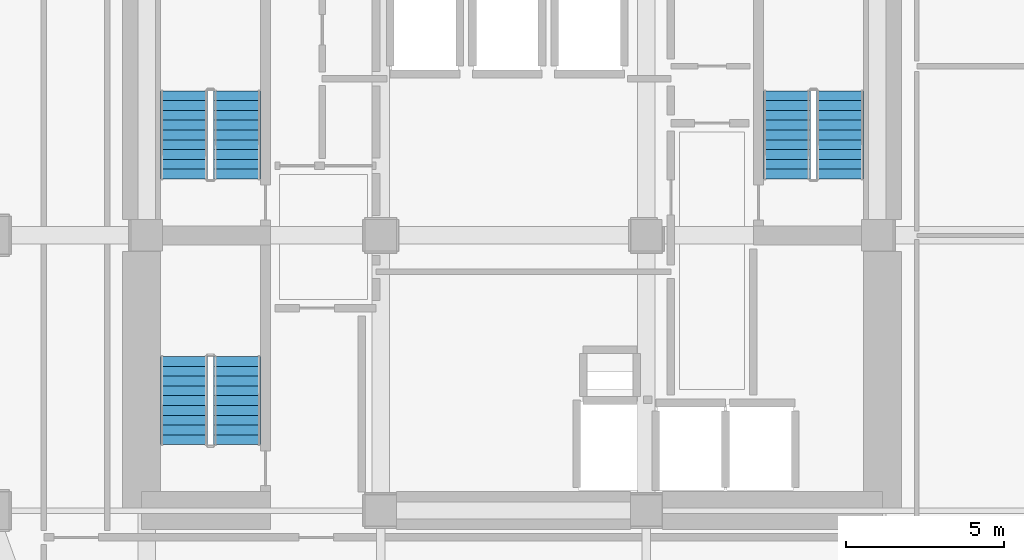
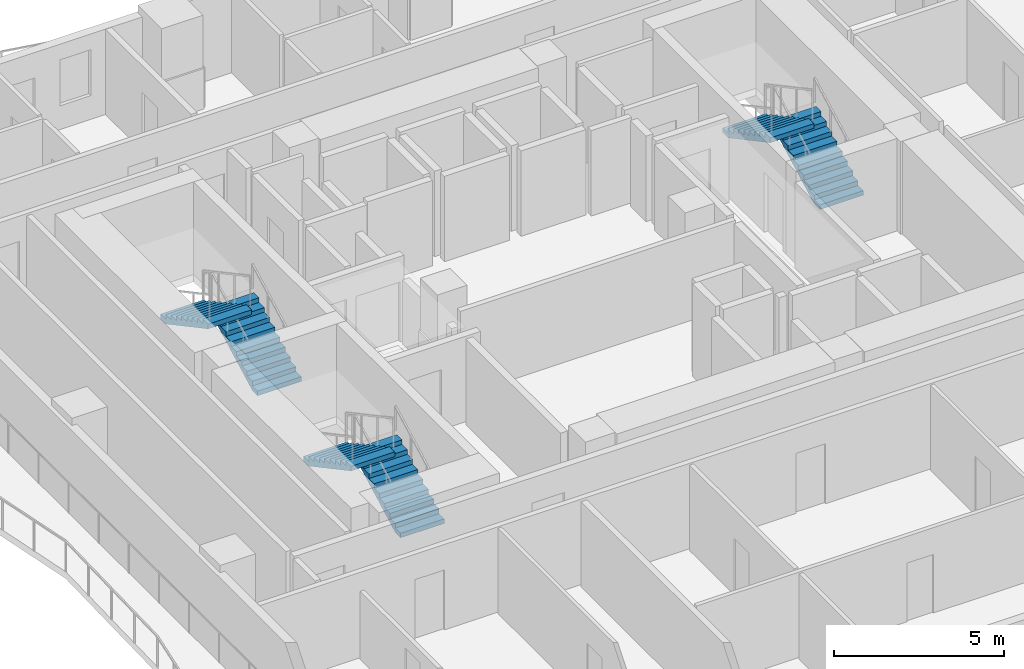
# One storey, part 7 of 10: 6 stair flights, 3 elements without a shape of their own.
"""IFC4 building model written with IfcOpenShell, lengths in metres."""

from ifc_helpers import new_model, si_unit, direction, frame, origin, place, context, subcontext, project, spatial, polyline, outline, extrude, material, type_object, element, aggregate, save


model = new_model("IFC4")

# Units and contexts
model_context = context("Model", 3, precision=1e-05, world=origin(), true_north=direction((0.0, 1.0)))
body_context = subcontext(model_context, "Body", "Model", "MODEL_VIEW")
ifc_project = project(units=[si_unit("LENGTHUNIT", "METRE"), si_unit("AREAUNIT", "SQUARE_METRE"), si_unit("VOLUMEUNIT", "CUBIC_METRE"), si_unit("PLANEANGLEUNIT", "RADIAN"), si_unit("MASSUNIT", "GRAM", prefix="KILO")], contexts=[model_context])

# Site, building, storey
site_placement = place(None, origin())
site = spatial("IfcSite", under=ifc_project, at=site_placement, CompositionType="ELEMENT")
building_placement = place(site_placement, origin())
building = spatial("IfcBuilding", under=site, at=building_placement, Name="Solanera Arch Residences", CompositionType="ELEMENT")
storey_placement = place(building_placement, frame((0.0, 0.0, 51.8798828125)))
storey = spatial("IfcBuildingStorey", under=building, at=storey_placement, Name="L14", CompositionType="ELEMENT", Elevation=51.8798828125)

# Stair, stair flights
ifc_material_1 = material(Name="Concrete C40/50 (f'c = 45 MPa)", Category="concrete")
stair_type = type_object("IfcStairType", Name="Tower Dogleg Exit Stair 1480", PredefinedType="HALF_TURN_STAIR", material=ifc_material_1)
stair_1_placement = place(storey_placement, origin())
stair_1 = element("IfcStair", 1, at=stair_1_placement, inside=storey, type_object=stair_type, Name="L14 Tower Core Exit Stair 1", PredefinedType="HALF_TURN_STAIR")
ifc_material_2 = material(Name="Concrete C40/50 (f'c = 45 MPa)", Category="concrete")
stair_flight_type = type_object("IfcStairFlightType", Name="Tower Precast Stair Flight 1480", PredefinedType="STRAIGHT", material=ifc_material_2)
stair_flight_1_placement = place(storey_placement, frame((16.260009765625, 32.47998046875, 0.0), z_axis=(0.0, 0.0, 1.0), x_axis=(0.0, 1.0, 0.0)))
stair_flight_1 = element("IfcStairFlight", 2, at=stair_flight_1_placement, type_object=stair_flight_type, Name="ST-T1 flight 1", NumberOfRisers=10, NumberOfTreads=9, PredefinedType="STRAIGHT", RiserHeight=0.166, TreadLength=0.31, context=body_context, shape_type="SweptSolid", body=[
    extrude(outline(polyline([(0.0, 0.0), (0.0, 0.166015625), (0.31005859375, 0.166015625), (0.31005859375, 0.33203125), (0.6201171875, 0.33203125), (0.6201171875, 0.498046875), (0.929931640625, 0.498046875), (0.929931640625, 0.6640625), (1.239990234375, 0.6640625), (1.239990234375, 0.830078125), (1.550048828125, 0.830078125), (1.550048828125, 0.99609375), (1.860107421875, 0.99609375), (1.860107421875, 1.162109375), (2.169921875, 1.162109375), (2.169921875, 1.327880859375), (2.47998046875, 1.327880859375), (2.47998046875, 1.493896484375), (2.7900390625, 1.493896484375), (2.7900390625, 1.659912109375), (2.7900390625, 1.323974609375), (0.317626953125, 0.0), (0.0, 0.0)])), frame((0.0, 0.739990234375, 0.0), z_axis=(0.0, -1.0, 0.0), x_axis=(1.0, 0.0, 0.0)), (0.0, 0.0, 1.0), 1.47998046875),
])
stair_flight_2_placement = place(storey_placement, frame((14.580078125, 35.27001953125, 1.66015625), z_axis=(0.0, 0.0, 1.0), x_axis=(0.0, -1.0, 0.0)))
stair_flight_2 = element("IfcStairFlight", 3, at=stair_flight_2_placement, type_object=stair_flight_type, Name="ST-T1 flight 2", NumberOfRisers=10, NumberOfTreads=9, PredefinedType="STRAIGHT", RiserHeight=0.166, TreadLength=0.31, context=body_context, shape_type="SweptSolid", body=[
    extrude(outline(polyline([(0.0, 0.0), (0.0, 0.166015625), (0.31005859375, 0.166015625), (0.31005859375, 0.33203125), (0.6201171875, 0.33203125), (0.6201171875, 0.498046875), (0.929931640625, 0.498046875), (0.929931640625, 0.6640625), (1.239990234375, 0.6640625), (1.239990234375, 0.830078125), (1.550048828125, 0.830078125), (1.550048828125, 0.99609375), (1.860107421875, 0.99609375), (1.860107421875, 1.162109375), (2.169921875, 1.162109375), (2.169921875, 1.327880859375), (2.47998046875, 1.327880859375), (2.47998046875, 1.493896484375), (2.7900390625, 1.493896484375), (2.7900390625, 1.659912109375), (2.7900390625, 1.323974609375), (0.317626953125, 0.0), (0.0, 0.0)])), frame((0.0, 0.739990234375, 0.0), z_axis=(0.0, -1.0, 0.0), x_axis=(1.0, 0.0, 0.0)), (0.0, 0.0, 1.0), 1.47998046875),
])
aggregate(stair_1, [stair_flight_1, stair_flight_2])

stair_2_placement = place(storey_placement, origin())
stair_2 = element("IfcStair", 4, at=stair_2_placement, inside=storey, type_object=stair_type, Name="L14 Tower Core Exit Stair 2", PredefinedType="HALF_TURN_STAIR")
stair_flight_3_placement = place(storey_placement, frame((35.320068359375, 32.47998046875, 0.0), z_axis=(0.0, 0.0, 1.0), x_axis=(0.0, 1.0, 0.0)))
stair_flight_3 = element("IfcStairFlight", 5, at=stair_flight_3_placement, type_object=stair_flight_type, Name="ST-T2 flight 1", NumberOfRisers=10, NumberOfTreads=9, PredefinedType="STRAIGHT", RiserHeight=0.166, TreadLength=0.31, context=body_context, shape_type="SweptSolid", body=[
    extrude(outline(polyline([(0.0, 0.0), (0.0, 0.166015625), (0.31005859375, 0.166015625), (0.31005859375, 0.33203125), (0.6201171875, 0.33203125), (0.6201171875, 0.498046875), (0.929931640625, 0.498046875), (0.929931640625, 0.6640625), (1.239990234375, 0.6640625), (1.239990234375, 0.830078125), (1.550048828125, 0.830078125), (1.550048828125, 0.99609375), (1.860107421875, 0.99609375), (1.860107421875, 1.162109375), (2.169921875, 1.162109375), (2.169921875, 1.327880859375), (2.47998046875, 1.327880859375), (2.47998046875, 1.493896484375), (2.7900390625, 1.493896484375), (2.7900390625, 1.659912109375), (2.7900390625, 1.323974609375), (0.317626953125, 0.0), (0.0, 0.0)])), frame((0.0, 0.739990234375, 0.0), z_axis=(0.0, -1.0, 0.0), x_axis=(1.0, 0.0, 0.0)), (0.0, 0.0, 1.0), 1.47998046875),
])
stair_flight_4_placement = place(storey_placement, frame((33.639892578125, 35.27001953125, 1.66015625), z_axis=(0.0, 0.0, 1.0), x_axis=(0.0, -1.0, 0.0)))
stair_flight_4 = element("IfcStairFlight", 6, at=stair_flight_4_placement, type_object=stair_flight_type, Name="ST-T2 flight 2", NumberOfRisers=10, NumberOfTreads=9, PredefinedType="STRAIGHT", RiserHeight=0.166, TreadLength=0.31, context=body_context, shape_type="SweptSolid", body=[
    extrude(outline(polyline([(0.0, 0.0), (0.0, 0.166015625), (0.31005859375, 0.166015625), (0.31005859375, 0.33203125), (0.6201171875, 0.33203125), (0.6201171875, 0.498046875), (0.929931640625, 0.498046875), (0.929931640625, 0.6640625), (1.239990234375, 0.6640625), (1.239990234375, 0.830078125), (1.550048828125, 0.830078125), (1.550048828125, 0.99609375), (1.860107421875, 0.99609375), (1.860107421875, 1.162109375), (2.169921875, 1.162109375), (2.169921875, 1.327880859375), (2.47998046875, 1.327880859375), (2.47998046875, 1.493896484375), (2.7900390625, 1.493896484375), (2.7900390625, 1.659912109375), (2.7900390625, 1.323974609375), (0.317626953125, 0.0), (0.0, 0.0)])), frame((0.0, 0.739990234375, 0.0), z_axis=(0.0, -1.0, 0.0), x_axis=(1.0, 0.0, 0.0)), (0.0, 0.0, 1.0), 1.47998046875),
])
aggregate(stair_2, [stair_flight_3, stair_flight_4])

stair_3_placement = place(storey_placement, origin())
stair_3 = element("IfcStair", 7, at=stair_3_placement, inside=storey, type_object=stair_type, Name="L14 Tower Core Exit Stair 3", PredefinedType="HALF_TURN_STAIR")
stair_flight_5_placement = place(storey_placement, frame((16.260009765625, 24.080078125, 0.0), z_axis=(0.0, 0.0, 1.0), x_axis=(0.0, 1.0, 0.0)))
stair_flight_5 = element("IfcStairFlight", 8, at=stair_flight_5_placement, type_object=stair_flight_type, Name="ST-T3 flight 1", NumberOfRisers=10, NumberOfTreads=9, PredefinedType="STRAIGHT", RiserHeight=0.166, TreadLength=0.31, context=body_context, shape_type="SweptSolid", body=[
    extrude(outline(polyline([(0.0, 0.0), (0.0, 0.166015625), (0.31005859375, 0.166015625), (0.31005859375, 0.33203125), (0.6201171875, 0.33203125), (0.6201171875, 0.498046875), (0.929931640625, 0.498046875), (0.929931640625, 0.6640625), (1.239990234375, 0.6640625), (1.239990234375, 0.830078125), (1.550048828125, 0.830078125), (1.550048828125, 0.99609375), (1.860107421875, 0.99609375), (1.860107421875, 1.162109375), (2.169921875, 1.162109375), (2.169921875, 1.327880859375), (2.47998046875, 1.327880859375), (2.47998046875, 1.493896484375), (2.7900390625, 1.493896484375), (2.7900390625, 1.659912109375), (2.7900390625, 1.323974609375), (0.317626953125, 0.0), (0.0, 0.0)])), frame((0.0, 0.739990234375, 0.0), z_axis=(0.0, -1.0, 0.0), x_axis=(1.0, 0.0, 0.0)), (0.0, 0.0, 1.0), 1.47998046875),
])
stair_flight_6_placement = place(storey_placement, frame((14.580078125, 26.8701171875, 1.66015625), z_axis=(0.0, 0.0, 1.0), x_axis=(0.0, -1.0, 0.0)))
stair_flight_6 = element("IfcStairFlight", 9, at=stair_flight_6_placement, type_object=stair_flight_type, Name="ST-T3 flight 2", NumberOfRisers=10, NumberOfTreads=9, PredefinedType="STRAIGHT", RiserHeight=0.166, TreadLength=0.31, context=body_context, shape_type="SweptSolid", body=[
    extrude(outline(polyline([(0.0, 0.0), (0.0, 0.166015625), (0.31005859375, 0.166015625), (0.31005859375, 0.33203125), (0.6201171875, 0.33203125), (0.6201171875, 0.498046875), (0.929931640625, 0.498046875), (0.929931640625, 0.6640625), (1.239990234375, 0.6640625), (1.239990234375, 0.830078125), (1.550048828125, 0.830078125), (1.550048828125, 0.99609375), (1.860107421875, 0.99609375), (1.860107421875, 1.162109375), (2.169921875, 1.162109375), (2.169921875, 1.327880859375), (2.47998046875, 1.327880859375), (2.47998046875, 1.493896484375), (2.7900390625, 1.493896484375), (2.7900390625, 1.659912109375), (2.7900390625, 1.323974609375), (0.317626953125, 0.0), (0.0, 0.0)])), frame((0.0, 0.739990234375, 0.0), z_axis=(0.0, -1.0, 0.0), x_axis=(1.0, 0.0, 0.0)), (0.0, 0.0, 1.0), 1.47998046875),
])
aggregate(stair_3, [stair_flight_5, stair_flight_6])

save(model, "model.ifc")
